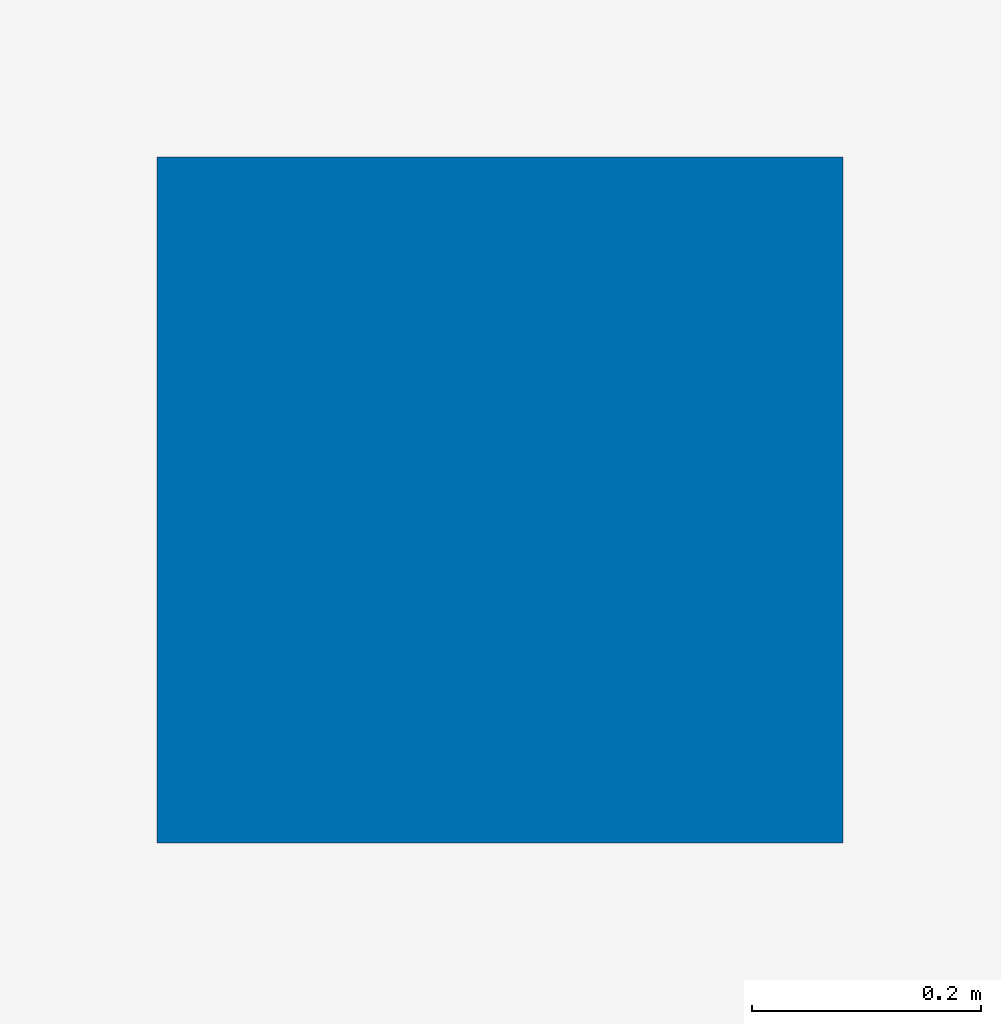
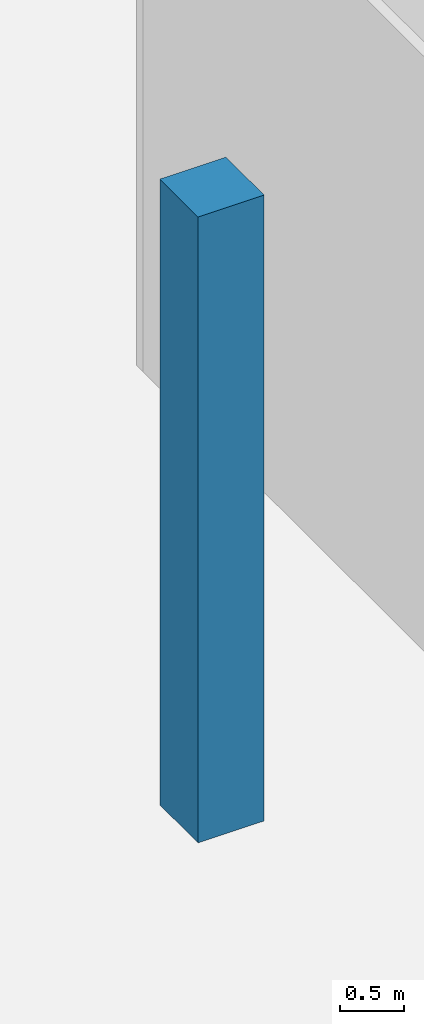
# One storey, part 2 of 74: 1 column.
"""IFC4 building model written with IfcOpenShell, lengths in metres."""

from ifc_helpers import new_model, si_unit, direction, frame, origin, origin_2d, place, context, subcontext, project, spatial, rectangle, extrude, material, material_profile, profile_set, type_object, element, save


model = new_model("IFC4")

# Units and contexts
model_context = context("Model", 3, precision=1e-05, world=origin(), true_north=direction((0.0, 1.0)))
body_context = subcontext(model_context, "Body", "Model", "MODEL_VIEW")
ifc_project = project(units=[si_unit("LENGTHUNIT", "METRE"), si_unit("AREAUNIT", "SQUARE_METRE"), si_unit("VOLUMEUNIT", "CUBIC_METRE"), si_unit("PLANEANGLEUNIT", "RADIAN"), si_unit("MASSUNIT", "GRAM", prefix="KILO")], contexts=[model_context])

# Site, building, storey
site_placement = place(None, origin())
site = spatial("IfcSite", under=ifc_project, at=site_placement, CompositionType="ELEMENT")
building_placement = place(site_placement, origin())
building = spatial("IfcBuilding", under=site, at=building_placement, Name="Noorbagh Ring Tower", CompositionType="ELEMENT")
storey_placement = place(building_placement, frame((0.0, 0.0, 13.5)))
storey = spatial("IfcBuildingStorey", under=building, at=storey_placement, Name="L02", CompositionType="ELEMENT", Elevation=13.5)

# Column
ifc_material = material(Name="Concrete C50/60", Category="concrete")
ifc_material_profile = material_profile(ifc_material, rectangle(XDim=0.60009765625, YDim=0.60009765625, at=origin_2d()), Name="RC600x600")
ifc_profile_set = profile_set([ifc_material_profile], Name="Concrete C50/60")
column_type = type_object("IfcColumnType", Name="TH-COL-FOYER", PredefinedType="COLUMN", material=ifc_profile_set)
column_placement = place(storey_placement, frame((-104.800048828125, -14.35009765625, 0.0), z_axis=(0.0, 0.0, 1.0), x_axis=(1.0, 0.0, 0.0)))
element("IfcColumn", 1, at=column_placement, inside=storey, type_object=column_type, Name="L02/th-col/foyer-1", PredefinedType="COLUMN", context=body_context, shape_type="SweptSolid", body=[
    extrude(rectangle(XDim=0.60009765625, YDim=0.60009765625, at=origin_2d()), origin(), (0.0, 0.0, 1.0), 6.0),
])

save(model, "model.ifc")
